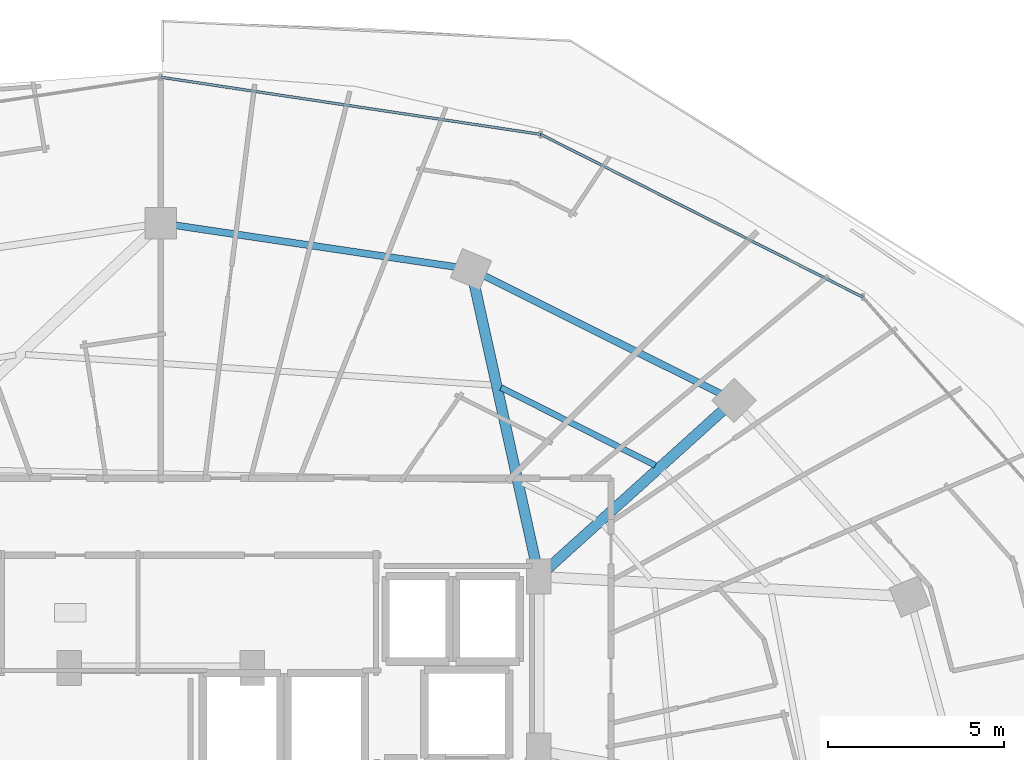
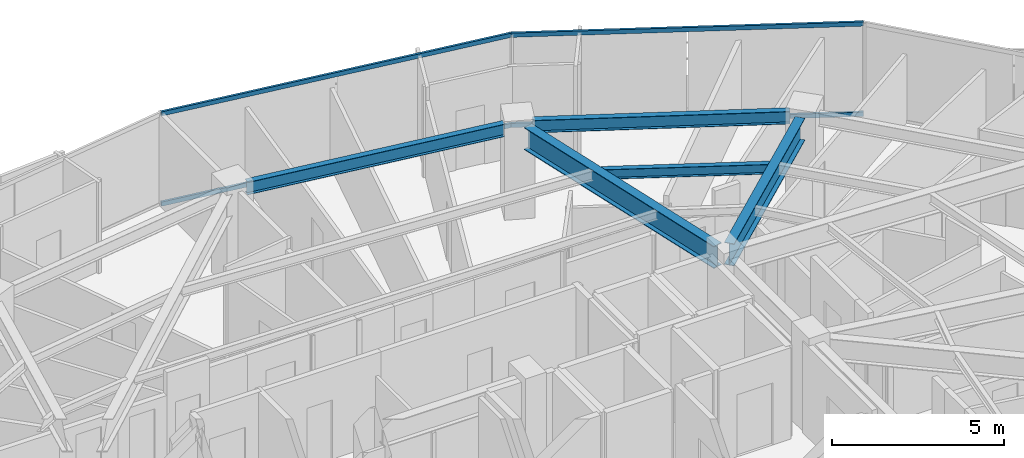
# One storey, part 20 of 34: 5 beams, 4 members, 1 element without a shape of its own.
"""IFC4 building model written with IfcOpenShell, lengths in metres."""

from ifc_helpers import new_model, si_unit, direction, frame, origin, origin_2d, place, context, subcontext, project, spatial, hollow_rectangle, i_section, extrude, material, material_profile, profile_set, type_object, element, aggregate, save


model = new_model("IFC4")

# Units and contexts
model_context = context("Model", 3, precision=1e-05, world=origin(), true_north=direction((0.0, 1.0)))
body_context = subcontext(model_context, "Body", "Model", "MODEL_VIEW")
ifc_project = project(units=[si_unit("LENGTHUNIT", "METRE"), si_unit("AREAUNIT", "SQUARE_METRE"), si_unit("VOLUMEUNIT", "CUBIC_METRE"), si_unit("PLANEANGLEUNIT", "RADIAN"), si_unit("MASSUNIT", "GRAM", prefix="KILO")], contexts=[model_context])

# Site, building, storey
site_placement = place(None, origin())
site = spatial("IfcSite", under=ifc_project, at=site_placement, CompositionType="ELEMENT")
building_placement = place(site_placement, origin())
building = spatial("IfcBuilding", under=site, at=building_placement, Name="Vorneva Point Tower", CompositionType="ELEMENT")
storey_placement = place(building_placement, frame((0.0, 0.0, 182.60009765625)))
storey = spatial("IfcBuildingStorey", under=building, at=storey_placement, Name="L49", CompositionType="ELEMENT", Elevation=182.60009765625)

# Beams
ifc_material_1 = material(Name="Steel S355", Category="steel")
ifc_material_profile_1 = material_profile(ifc_material_1, i_section(OverallWidth=0.300048828125, OverallDepth=0.7880859375, WebThickness=0.014404296875, FlangeThickness=0.02197265625, at=origin_2d()), Name="80Sh1")
ifc_profile_set_1 = profile_set([ifc_material_profile_1], Name="Steel S355")
beam_type_1 = type_object("IfcBeamType", Name="BM-GRD-80Sh1", PredefinedType="USERDEFINED", material=ifc_profile_set_1)
beam_1_placement = place(storey_placement, frame((53.973876953125, 37.86865234375, 2.845947265625), z_axis=(-0.742089778537, -0.670300500217, 0.0), x_axis=(0.670300500217, -0.742089778537, 0.0)))
element("IfcBeam", 1, at=beam_1_placement, inside=storey, type_object=beam_type_1, Name="L49 Radial Primary Girder 03", ObjectType="GIRDER", PredefinedType="USERDEFINED", context=body_context, shape_type="SweptSolid", body=[
    extrude(i_section(OverallWidth=0.300048828125, OverallDepth=0.7880859375, WebThickness=0.014404296875, FlangeThickness=0.02197265625, at=origin_2d()), origin(), (0.0, 0.0, 1.0), 6.699462890625),
])
beam_2_placement = place(storey_placement, frame((46.915283203125, 41.462890625, 2.845947265625), z_axis=(0.215522758292, -0.976498817541, 0.0), x_axis=(0.976498817541, 0.215522758292, 0.0)))
element("IfcBeam", 2, at=beam_2_placement, inside=storey, type_object=beam_type_1, Name="L49 Radial Primary Girder 04", ObjectType="GIRDER", PredefinedType="USERDEFINED", context=body_context, shape_type="SweptSolid", body=[
    extrude(i_section(OverallWidth=0.300048828125, OverallDepth=0.7880859375, WebThickness=0.014404296875, FlangeThickness=0.02197265625, at=origin_2d()), origin(), (0.0, 0.0, 1.0), 8.173095703125),
])
ifc_material_profile_2 = material_profile(ifc_material_1, i_section(OverallWidth=0.174072265625, OverallDepth=0.345947265625, WebThickness=0.006103515625, FlangeThickness=0.009033203125, at=origin_2d()), Name="35B1")
ifc_profile_set_2 = profile_set([ifc_material_profile_2], Name="Steel S355")
beam_type_2 = type_object("IfcBeamType", Name="BM-SEC-35B1", PredefinedType="BEAM", material=ifc_profile_set_2)
beam_3_placement = place(storey_placement, frame((52.060791015625, 36.314208984375, 3.06689453125), z_axis=(-0.89285196268, 0.450350277827, 0.0), x_axis=(-0.450350277827, -0.89285196268, 0.0)))
element("IfcBeam", 3, at=beam_3_placement, inside=storey, type_object=beam_type_2, Name="L49 Secondary Floor Beam 1.03", PredefinedType="BEAM", context=body_context, shape_type="SweptSolid", body=[
    extrude(i_section(OverallWidth=0.174072265625, OverallDepth=0.345947265625, WebThickness=0.006103515625, FlangeThickness=0.009033203125, at=origin_2d()), origin(), (0.0, 0.0, 1.0), 4.914794921875),
])
ifc_material_profile_3 = material_profile(ifc_material_1, i_section(OverallWidth=0.198974609375, OverallDepth=0.446044921875, WebThickness=0.008056640625, FlangeThickness=0.011962890625, at=origin_2d()), Name="45B1")
ifc_profile_set_3 = profile_set([ifc_material_profile_3], Name="Steel S355")
beam_type_3 = type_object("IfcBeamType", Name="BM-SPN-45B1", PredefinedType="SPANDREL", material=ifc_profile_set_3)
beam_4_placement = place(storey_placement, frame((53.909423828125, 38.356201171875, 3.016845703125), z_axis=(-0.894922371084, 0.446221861559, 0.0), x_axis=(-0.446221861559, -0.894922371084, 0.0)))
element("IfcBeam", 4, at=beam_4_placement, inside=storey, type_object=beam_type_3, Name="L49 Perimeter Spandrel Ring Beam 03", PredefinedType="SPANDREL", context=body_context, shape_type="SweptSolid", body=[
    extrude(i_section(OverallWidth=0.198974609375, OverallDepth=0.446044921875, WebThickness=0.008056640625, FlangeThickness=0.011962890625, at=origin_2d()), origin(), (0.0, 0.0, 1.0), 7.48583984375),
])
beam_5_placement = place(storey_placement, frame((46.390625, 41.95458984375, 3.016845703125), z_axis=(-0.989165476332, 0.146804837907, 0.0), x_axis=(-0.146804837907, -0.989165476332, 0.0)))
element("IfcBeam", 5, at=beam_5_placement, inside=storey, type_object=beam_type_3, Name="L49 Perimeter Spandrel Ring Beam 04", PredefinedType="SPANDREL", context=body_context, shape_type="SweptSolid", body=[
    extrude(i_section(OverallWidth=0.198974609375, OverallDepth=0.446044921875, WebThickness=0.008056640625, FlangeThickness=0.011962890625, at=origin_2d()), origin(), (0.0, 0.0, 1.0), 8.04736328125),
])

# Curtain wall, members
ifc_material_2 = material(Name="Pale anodised aluminium", Category="aluminium")
curtain_wall_type = type_object("IfcCurtainWallType", Name="CW-RES-SYS", PredefinedType="NOTDEFINED", material=ifc_material_2)
curtain_wall_placement = place(storey_placement, origin())
curtain_wall = element("IfcCurtainWall", 6, at=curtain_wall_placement, inside=storey, type_object=curtain_wall_type, Name="L49 Unitised Curtain Wall CW-L49-R01", PredefinedType="NOTDEFINED")
ifc_material_profile_4 = material_profile(ifc_material_2, hollow_rectangle(XDim=0.074951171875, YDim=0.14990234375, WallThickness=0.00390625, at=origin_2d()), Name="AL-TRN 150x75x4")
ifc_profile_set_4 = profile_set([ifc_material_profile_4], Name="Pale anodised aluminium")
member_type = type_object("IfcMemberType", Name="CW-TRN-150", PredefinedType="USERDEFINED", material=ifc_profile_set_4)
member_1_placement = place(storey_placement, frame((57.961669921875, 41.0966796875, 0.02001953125), z_axis=(-0.892510927709, 0.451025768576, 0.0), x_axis=(-0.451025768576, -0.892510927709, 0.0)))
member_1 = element("IfcMember", 7, at=member_1_placement, type_object=member_type, Name="CW-L49-R01 Transom 02.1", ObjectType="TRANSOM", PredefinedType="USERDEFINED", context=body_context, shape_type="SweptSolid", body=[
    extrude(hollow_rectangle(XDim=0.074951171875, YDim=0.14990234375, WallThickness=0.00390625, at=origin_2d()), origin(), (0.0, 0.0, 1.0), 10.261474609375),
])
member_2_placement = place(storey_placement, frame((57.961669921875, 41.0966796875, 3.219970703125), z_axis=(-0.892510927709, 0.451025768576, 0.0), x_axis=(-0.451025768576, -0.892510927709, 0.0)))
member_2 = element("IfcMember", 8, at=member_2_placement, type_object=member_type, Name="CW-L49-R01 Transom 02.2", ObjectType="TRANSOM", PredefinedType="USERDEFINED", context=body_context, shape_type="SweptSolid", body=[
    extrude(hollow_rectangle(XDim=0.074951171875, YDim=0.14990234375, WallThickness=0.00390625, at=origin_2d()), origin(), (0.0, 0.0, 1.0), 10.261474609375),
])
member_3_placement = place(storey_placement, frame((48.80322265625, 45.724853515625, 0.02001953125), z_axis=(-0.988872333273, 0.148766624239, 0.0), x_axis=(-0.148766624239, -0.988872333273, 0.0)))
member_3 = element("IfcMember", 9, at=member_3_placement, type_object=member_type, Name="CW-L49-R01 Transom 03.1", ObjectType="TRANSOM", PredefinedType="USERDEFINED", context=body_context, shape_type="SweptSolid", body=[
    extrude(hollow_rectangle(XDim=0.074951171875, YDim=0.14990234375, WallThickness=0.00390625, at=origin_2d()), origin(), (0.0, 0.0, 1.0), 10.9248046875),
])
member_4_placement = place(storey_placement, frame((48.80322265625, 45.724853515625, 3.219970703125), z_axis=(-0.988872333273, 0.148766624239, 0.0), x_axis=(-0.148766624239, -0.988872333273, 0.0)))
member_4 = element("IfcMember", 10, at=member_4_placement, type_object=member_type, Name="CW-L49-R01 Transom 03.2", ObjectType="TRANSOM", PredefinedType="USERDEFINED", context=body_context, shape_type="SweptSolid", body=[
    extrude(hollow_rectangle(XDim=0.074951171875, YDim=0.14990234375, WallThickness=0.00390625, at=origin_2d()), origin(), (0.0, 0.0, 1.0), 10.9248046875),
])
aggregate(curtain_wall, [member_1, member_2, member_3, member_4])

save(model, "model.ifc")
